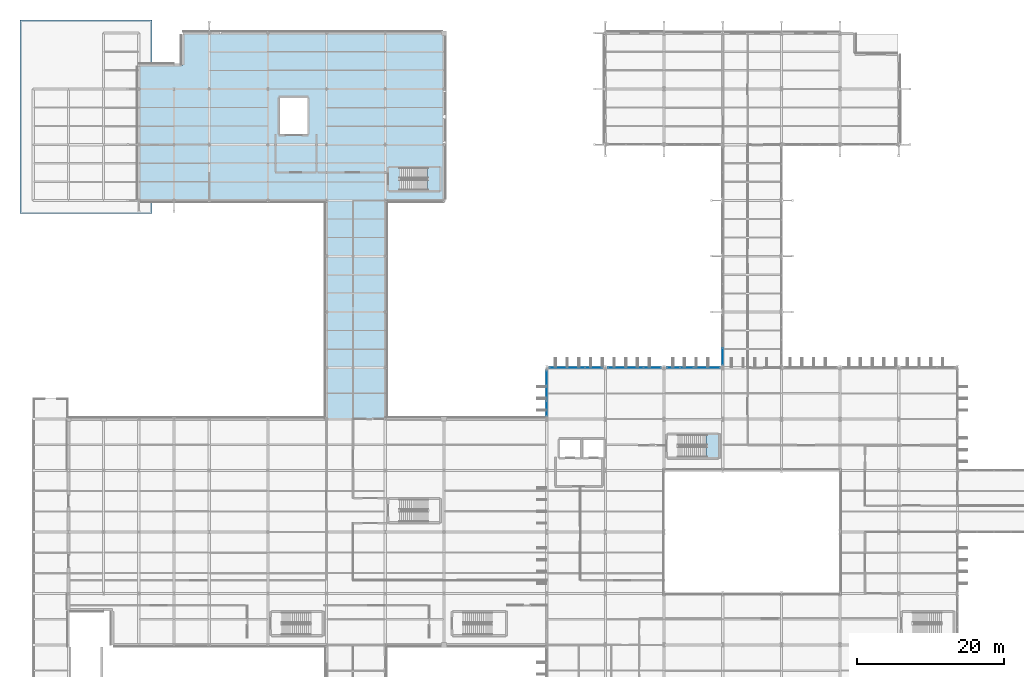
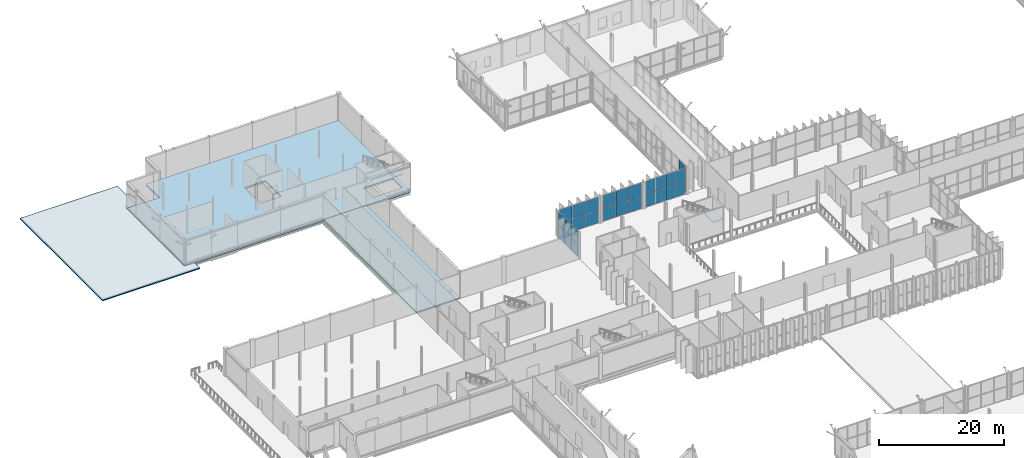
# One storey, part 102 of 147: 28 plates, 5 slabs, 7 elements without a shape of their own.
"""IFC4 building model written with IfcOpenShell, lengths in metres."""

from ifc_helpers import new_model, si_unit, direction, frame, origin, origin_2d, place, context, subcontext, project, spatial, polyline, rectangle, outline, extrude, material, layer, layer_set, type_object, element, aggregate, save


model = new_model("IFC4")

# Units and contexts
model_context = context("Model", 3, precision=1e-05, world=origin(), true_north=direction((0.0, 1.0)))
body_context = subcontext(model_context, "Body", "Model", "MODEL_VIEW")
ifc_project = project(units=[si_unit("LENGTHUNIT", "METRE"), si_unit("AREAUNIT", "SQUARE_METRE"), si_unit("VOLUMEUNIT", "CUBIC_METRE"), si_unit("PLANEANGLEUNIT", "RADIAN"), si_unit("MASSUNIT", "GRAM", prefix="KILO")], contexts=[model_context])

# Site, building, storey
site_placement = place(None, origin())
site = spatial("IfcSite", under=ifc_project, at=site_placement, CompositionType="ELEMENT")
building_placement = place(site_placement, origin())
building = spatial("IfcBuilding", under=site, at=building_placement, Name="Vekula Escarpment Museum", CompositionType="ELEMENT")
storey_placement = place(building_placement, frame((0.0, 0.0, 7.800048828125)))
storey = spatial("IfcBuildingStorey", under=building, at=storey_placement, Name="L02", CompositionType="ELEMENT", Elevation=7.800048828125)

# Curtain wall, plates
ifc_material_1 = material(Name="Aluminium thermally broken framing", Category="aluminium")
ifc_layer_1 = layer(ifc_material_1, 0.159912109375)
ifc_layer_set_1 = layer_set([ifc_layer_1], Name="Aluminium thermally broken framing")
curtain_wall_type_1 = type_object("IfcCurtainWallType", Name="CW-SYS-02", PredefinedType="NOTDEFINED", material=ifc_layer_set_1)
curtain_wall_1_placement = place(storey_placement, origin())
curtain_wall_1 = element("IfcCurtainWall", 1, at=curtain_wall_1_placement, inside=storey, type_object=curtain_wall_type_1, Name="Curtain Wall CW-L02-092", PredefinedType="NOTDEFINED")
ifc_material_2 = material(Name="Double solar-control low-E glass", Category="glass")
ifc_layer_2 = layer(ifc_material_2, 0.028076171875)
ifc_layer_set_2 = layer_set([ifc_layer_2], Name="Double solar-control low-E glass")
plate_type_1 = type_object("IfcPlateType", Name="CW-PNL-28", PredefinedType="CURTAIN_PANEL", material=ifc_layer_set_2)
plate_1_placement = place(storey_placement, frame((84.410400390625, 90.39990234375, 0.06494140625), z_axis=(0.0, 0.0, 1.0), x_axis=(-1.0, 0.0, 0.0)))
plate_1 = element("IfcPlate", 2, at=plate_1_placement, type_object=plate_type_1, Name="CW-02 panel 1.1", PredefinedType="CURTAIN_PANEL", context=body_context, shape_type="SweptSolid", body=[
    extrude(rectangle(XDim=2.3291015625, YDim=0.028076171875, at=origin_2d()), origin(), (0.0, 0.0, 1.0), 2.4775390625),
])
plate_2_placement = place(storey_placement, frame((84.410400390625, 90.39990234375, 2.607421875), z_axis=(0.0, 0.0, 1.0), x_axis=(-1.0, 0.0, 0.0)))
plate_2 = element("IfcPlate", 3, at=plate_2_placement, type_object=plate_type_1, Name="CW-02 panel 1.2", PredefinedType="CURTAIN_PANEL", context=body_context, shape_type="SweptSolid", body=[
    extrude(rectangle(XDim=2.3291015625, YDim=0.028076171875, at=origin_2d()), origin(), (0.0, 0.0, 1.0), 2.4775390625),
])
plate_3_placement = place(storey_placement, frame((82.0, 90.39990234375, 0.06494140625), z_axis=(0.0, 0.0, 1.0), x_axis=(-1.0, 0.0, 0.0)))
plate_3 = element("IfcPlate", 4, at=plate_3_placement, type_object=plate_type_1, Name="CW-02 panel 2.1", PredefinedType="CURTAIN_PANEL", context=body_context, shape_type="SweptSolid", body=[
    extrude(rectangle(XDim=2.361572265625, YDim=0.028076171875, at=origin_2d()), origin(), (0.0, 0.0, 1.0), 2.4775390625),
])
plate_4_placement = place(storey_placement, frame((82.0, 90.39990234375, 2.607421875), z_axis=(0.0, 0.0, 1.0), x_axis=(-1.0, 0.0, 0.0)))
plate_4 = element("IfcPlate", 5, at=plate_4_placement, type_object=plate_type_1, Name="CW-02 panel 2.2", PredefinedType="CURTAIN_PANEL", context=body_context, shape_type="SweptSolid", body=[
    extrude(rectangle(XDim=2.361572265625, YDim=0.028076171875, at=origin_2d()), origin(), (0.0, 0.0, 1.0), 2.4775390625),
])
plate_5_placement = place(storey_placement, frame((79.589599609375, 90.39990234375, 0.06494140625), z_axis=(0.0, 0.0, 1.0), x_axis=(-1.0, 0.0, 0.0)))
plate_5 = element("IfcPlate", 6, at=plate_5_placement, type_object=plate_type_1, Name="CW-02 panel 3.1", PredefinedType="CURTAIN_PANEL", context=body_context, shape_type="SweptSolid", body=[
    extrude(rectangle(XDim=2.3291015625, YDim=0.028076171875, at=origin_2d()), origin(), (0.0, 0.0, 1.0), 2.4775390625),
])
plate_6_placement = place(storey_placement, frame((79.589599609375, 90.39990234375, 2.607421875), z_axis=(0.0, 0.0, 1.0), x_axis=(-1.0, 0.0, 0.0)))
plate_6 = element("IfcPlate", 7, at=plate_6_placement, type_object=plate_type_1, Name="CW-02 panel 3.2", PredefinedType="CURTAIN_PANEL", context=body_context, shape_type="SweptSolid", body=[
    extrude(rectangle(XDim=2.3291015625, YDim=0.028076171875, at=origin_2d()), origin(), (0.0, 0.0, 1.0), 2.4775390625),
])
aggregate(curtain_wall_1, [plate_1, plate_2, plate_3, plate_4, plate_5, plate_6])

ifc_material_3 = material(Name="Aluminium thermally broken framing", Category="aluminium")
ifc_layer_3 = layer(ifc_material_3, 0.199951171875)
ifc_layer_set_3 = layer_set([ifc_layer_3], Name="Aluminium thermally broken framing")
curtain_wall_type_2 = type_object("IfcCurtainWallType", Name="CW-SYS-03", PredefinedType="NOTDEFINED", material=ifc_layer_set_3)
curtain_wall_2_placement = place(storey_placement, origin())
curtain_wall_2 = element("IfcCurtainWall", 8, at=curtain_wall_2_placement, inside=storey, type_object=curtain_wall_type_2, Name="Curtain Wall CW-L02-093", PredefinedType="NOTDEFINED")
ifc_material_4 = material(Name="Acoustic laminated double low-E glass", Category="glass")
ifc_layer_4 = layer(ifc_material_4, 0.031982421875)
ifc_layer_set_4 = layer_set([ifc_layer_4], Name="Acoustic laminated double low-E glass")
plate_type_2 = type_object("IfcPlateType", Name="CW-PNL-32", PredefinedType="CURTAIN_PANEL", material=ifc_layer_set_4)
plate_7_placement = place(storey_placement, frame((76.410400390625, 90.39990234375, 0.06494140625), z_axis=(0.0, 0.0, 1.0), x_axis=(-1.0, 0.0, 0.0)))
plate_7 = element("IfcPlate", 9, at=plate_7_placement, type_object=plate_type_2, Name="CW-03 panel 1.1", PredefinedType="CURTAIN_PANEL", context=body_context, shape_type="SweptSolid", body=[
    extrude(rectangle(XDim=2.3291015625, YDim=0.031982421875, at=origin_2d()), origin(), (0.0, 0.0, 1.0), 2.4775390625),
])
plate_8_placement = place(storey_placement, frame((76.410400390625, 90.39990234375, 2.607421875), z_axis=(0.0, 0.0, 1.0), x_axis=(-1.0, 0.0, 0.0)))
plate_8 = element("IfcPlate", 10, at=plate_8_placement, type_object=plate_type_2, Name="CW-03 panel 1.2", PredefinedType="CURTAIN_PANEL", context=body_context, shape_type="SweptSolid", body=[
    extrude(rectangle(XDim=2.3291015625, YDim=0.031982421875, at=origin_2d()), origin(), (0.0, 0.0, 1.0), 2.4775390625),
])
plate_9_placement = place(storey_placement, frame((74.0, 90.39990234375, 0.06494140625), z_axis=(0.0, 0.0, 1.0), x_axis=(-1.0, 0.0, 0.0)))
plate_9 = element("IfcPlate", 11, at=plate_9_placement, type_object=plate_type_2, Name="CW-03 panel 2.1", PredefinedType="CURTAIN_PANEL", context=body_context, shape_type="SweptSolid", body=[
    extrude(rectangle(XDim=2.361572265625, YDim=0.031982421875, at=origin_2d()), origin(), (0.0, 0.0, 1.0), 2.4775390625),
])
plate_10_placement = place(storey_placement, frame((74.0, 90.39990234375, 2.607421875), z_axis=(0.0, 0.0, 1.0), x_axis=(-1.0, 0.0, 0.0)))
plate_10 = element("IfcPlate", 12, at=plate_10_placement, type_object=plate_type_2, Name="CW-03 panel 2.2", PredefinedType="CURTAIN_PANEL", context=body_context, shape_type="SweptSolid", body=[
    extrude(rectangle(XDim=2.361572265625, YDim=0.031982421875, at=origin_2d()), origin(), (0.0, 0.0, 1.0), 2.4775390625),
])
plate_11_placement = place(storey_placement, frame((71.589599609375, 90.39990234375, 0.06494140625), z_axis=(0.0, 0.0, 1.0), x_axis=(-1.0, 0.0, 0.0)))
plate_11 = element("IfcPlate", 13, at=plate_11_placement, type_object=plate_type_2, Name="CW-03 panel 3.1", PredefinedType="CURTAIN_PANEL", context=body_context, shape_type="SweptSolid", body=[
    extrude(rectangle(XDim=2.3291015625, YDim=0.031982421875, at=origin_2d()), origin(), (0.0, 0.0, 1.0), 2.4775390625),
])
plate_12_placement = place(storey_placement, frame((71.589599609375, 90.39990234375, 2.607421875), z_axis=(0.0, 0.0, 1.0), x_axis=(-1.0, 0.0, 0.0)))
plate_12 = element("IfcPlate", 14, at=plate_12_placement, type_object=plate_type_2, Name="CW-03 panel 3.2", PredefinedType="CURTAIN_PANEL", context=body_context, shape_type="SweptSolid", body=[
    extrude(rectangle(XDim=2.3291015625, YDim=0.031982421875, at=origin_2d()), origin(), (0.0, 0.0, 1.0), 2.4775390625),
])
aggregate(curtain_wall_2, [plate_7, plate_8, plate_9, plate_10, plate_11, plate_12])

ifc_material_5 = material(Name="Aluminium thermally broken framing", Category="aluminium")
ifc_layer_5 = layer(ifc_material_5, 0.169921875)
ifc_layer_set_5 = layer_set([ifc_layer_5], Name="Aluminium thermally broken framing")
curtain_wall_type_3 = type_object("IfcCurtainWallType", Name="CW-SYS-10", PredefinedType="NOTDEFINED", material=ifc_layer_set_5)
curtain_wall_3_placement = place(storey_placement, origin())
curtain_wall_3 = element("IfcCurtainWall", 15, at=curtain_wall_3_placement, inside=storey, type_object=curtain_wall_type_3, Name="Curtain Wall CW-L02-090", PredefinedType="NOTDEFINED")
ifc_material_6 = material(Name="Triple UV-filtered museum gallery glass", Category="glass")
ifc_layer_6 = layer(ifc_material_6, 0.035888671875)
ifc_layer_set_6 = layer_set([ifc_layer_6], Name="Triple UV-filtered museum gallery glass")
plate_type_3 = type_object("IfcPlateType", Name="CW-PNL-36", PredefinedType="CURTAIN_PANEL", material=ifc_layer_set_6)
plate_13_placement = place(storey_placement, frame((94.0, 91.9228515625, 0.06494140625), z_axis=(0.0, 0.0, 1.0), x_axis=(0.0, -1.0, 0.0)))
plate_13 = element("IfcPlate", 16, at=plate_13_placement, type_object=plate_type_3, Name="CW-10 panel 3.1", PredefinedType="CURTAIN_PANEL", context=body_context, shape_type="SweptSolid", body=[
    extrude(rectangle(XDim=2.19580078125, YDim=0.035888671875, at=origin_2d()), origin(), (0.0, 0.0, 1.0), 2.4775390625),
])
plate_14_placement = place(storey_placement, frame((94.0, 91.9228515625, 2.607421875), z_axis=(0.0, 0.0, 1.0), x_axis=(0.0, -1.0, 0.0)))
plate_14 = element("IfcPlate", 17, at=plate_14_placement, type_object=plate_type_3, Name="CW-10 panel 3.2", PredefinedType="CURTAIN_PANEL", context=body_context, shape_type="SweptSolid", body=[
    extrude(rectangle(XDim=2.19580078125, YDim=0.035888671875, at=origin_2d()), origin(), (0.0, 0.0, 1.0), 2.4775390625),
])
aggregate(curtain_wall_3, [plate_13, plate_14])

ifc_material_7 = material(Name="Aluminium thermally broken framing", Category="aluminium")
ifc_layer_7 = layer(ifc_material_7, 0.199951171875)
ifc_layer_set_7 = layer_set([ifc_layer_7], Name="Aluminium thermally broken framing")
curtain_wall_type_4 = type_object("IfcCurtainWallType", Name="CW-SYS-04", PredefinedType="NOTDEFINED", material=ifc_layer_set_7)
curtain_wall_4_placement = place(storey_placement, origin())
curtain_wall_4 = element("IfcCurtainWall", 18, at=curtain_wall_4_placement, inside=storey, type_object=curtain_wall_type_4, Name="Curtain Wall CW-L02-094", PredefinedType="NOTDEFINED")
plate_15_placement = place(storey_placement, frame((70.0, 88.97705078125, 0.06494140625), z_axis=(0.0, 0.0, 1.0), x_axis=(0.0, -1.0, 0.0)))
plate_15 = element("IfcPlate", 19, at=plate_15_placement, type_object=plate_type_3, Name="CW-04 panel 1.1", PredefinedType="CURTAIN_PANEL", context=body_context, shape_type="SweptSolid", body=[
    extrude(rectangle(XDim=1.995849609375, YDim=0.035888671875, at=origin_2d()), origin(), (0.0, 0.0, 1.0), 2.4775390625),
])
plate_16_placement = place(storey_placement, frame((70.0, 88.97705078125, 2.607421875), z_axis=(0.0, 0.0, 1.0), x_axis=(0.0, -1.0, 0.0)))
plate_16 = element("IfcPlate", 20, at=plate_16_placement, type_object=plate_type_3, Name="CW-04 panel 1.2", PredefinedType="CURTAIN_PANEL", context=body_context, shape_type="SweptSolid", body=[
    extrude(rectangle(XDim=1.995849609375, YDim=0.035888671875, at=origin_2d()), origin(), (0.0, 0.0, 1.0), 2.4775390625),
])
plate_17_placement = place(storey_placement, frame((70.0, 86.89990234375, 0.06494140625), z_axis=(0.0, 0.0, 1.0), x_axis=(0.0, -1.0, 0.0)))
plate_17 = element("IfcPlate", 21, at=plate_17_placement, type_object=plate_type_3, Name="CW-04 panel 2.1", PredefinedType="CURTAIN_PANEL", context=body_context, shape_type="SweptSolid", body=[
    extrude(rectangle(XDim=2.0283203125, YDim=0.035888671875, at=origin_2d()), origin(), (0.0, 0.0, 1.0), 2.4775390625),
])
plate_18_placement = place(storey_placement, frame((70.0, 86.89990234375, 2.607421875), z_axis=(0.0, 0.0, 1.0), x_axis=(0.0, -1.0, 0.0)))
plate_18 = element("IfcPlate", 22, at=plate_18_placement, type_object=plate_type_3, Name="CW-04 panel 2.2", PredefinedType="CURTAIN_PANEL", context=body_context, shape_type="SweptSolid", body=[
    extrude(rectangle(XDim=2.0283203125, YDim=0.035888671875, at=origin_2d()), origin(), (0.0, 0.0, 1.0), 2.4775390625),
])
plate_19_placement = place(storey_placement, frame((70.0, 84.822998046875, 0.06494140625), z_axis=(0.0, 0.0, 1.0), x_axis=(0.0, -1.0, 0.0)))
plate_19 = element("IfcPlate", 23, at=plate_19_placement, type_object=plate_type_3, Name="CW-04 panel 3.1", PredefinedType="CURTAIN_PANEL", context=body_context, shape_type="SweptSolid", body=[
    extrude(rectangle(XDim=1.995849609375, YDim=0.035888671875, at=origin_2d()), origin(), (0.0, 0.0, 1.0), 2.4775390625),
])
plate_20_placement = place(storey_placement, frame((70.0, 84.822998046875, 2.607421875), z_axis=(0.0, 0.0, 1.0), x_axis=(0.0, -1.0, 0.0)))
plate_20 = element("IfcPlate", 24, at=plate_20_placement, type_object=plate_type_3, Name="CW-04 panel 3.2", PredefinedType="CURTAIN_PANEL", context=body_context, shape_type="SweptSolid", body=[
    extrude(rectangle(XDim=1.995849609375, YDim=0.035888671875, at=origin_2d()), origin(), (0.0, 0.0, 1.0), 2.4775390625),
])
aggregate(curtain_wall_4, [plate_15, plate_16, plate_17, plate_18, plate_19, plate_20])

ifc_material_8 = material(Name="Aluminium thermally broken framing", Category="aluminium")
ifc_layer_8 = layer(ifc_material_8, 0.159912109375)
ifc_layer_set_8 = layer_set([ifc_layer_8], Name="Aluminium thermally broken framing")
curtain_wall_type_5 = type_object("IfcCurtainWallType", Name="CW-SYS-01", PredefinedType="NOTDEFINED", material=ifc_layer_set_8)
curtain_wall_5_placement = place(storey_placement, origin())
curtain_wall_5 = element("IfcCurtainWall", 25, at=curtain_wall_5_placement, inside=storey, type_object=curtain_wall_type_5, Name="Curtain Wall CW-L02-091", PredefinedType="NOTDEFINED")
ifc_material_9 = material(Name="Insulated bronze spandrel glass panel", Category="glass")
ifc_layer_9 = layer(ifc_material_9, 0.0400390625)
ifc_layer_set_9 = layer_set([ifc_layer_9], Name="Insulated bronze spandrel glass panel")
plate_type_4 = type_object("IfcPlateType", Name="CW-PNL-40", PredefinedType="CURTAIN_PANEL", material=ifc_layer_set_9)
plate_21_placement = place(storey_placement, frame((92.7138671875, 90.39990234375, 0.06494140625), z_axis=(0.0, 0.0, 1.0), x_axis=(-1.0, 0.0, 0.0)))
plate_21 = element("IfcPlate", 26, at=plate_21_placement, type_object=plate_type_4, Name="CW-01 panel 1.1", PredefinedType="CURTAIN_PANEL", context=body_context, shape_type="SweptSolid", body=[
    extrude(rectangle(XDim=1.722412109375, YDim=0.0400390625, at=origin_2d()), origin(), (0.0, 0.0, 1.0), 2.4775390625),
])
plate_22_placement = place(storey_placement, frame((92.7138671875, 90.39990234375, 2.607421875), z_axis=(0.0, 0.0, 1.0), x_axis=(-1.0, 0.0, 0.0)))
plate_22 = element("IfcPlate", 27, at=plate_22_placement, type_object=plate_type_4, Name="CW-01 panel 1.2", PredefinedType="CURTAIN_PANEL", context=body_context, shape_type="SweptSolid", body=[
    extrude(rectangle(XDim=1.722412109375, YDim=0.0400390625, at=origin_2d()), origin(), (0.0, 0.0, 1.0), 2.4775390625),
])
plate_23_placement = place(storey_placement, frame((90.909912109375, 90.39990234375, 0.06494140625), z_axis=(0.0, 0.0, 1.0), x_axis=(-1.0, 0.0, 0.0)))
plate_23 = element("IfcPlate", 28, at=plate_23_placement, type_object=plate_type_4, Name="CW-01 panel 2.1", PredefinedType="CURTAIN_PANEL", context=body_context, shape_type="SweptSolid", body=[
    extrude(rectangle(XDim=1.7548828125, YDim=0.0400390625, at=origin_2d()), origin(), (0.0, 0.0, 1.0), 2.4775390625),
])
plate_24_placement = place(storey_placement, frame((90.909912109375, 90.39990234375, 2.607421875), z_axis=(0.0, 0.0, 1.0), x_axis=(-1.0, 0.0, 0.0)))
plate_24 = element("IfcPlate", 29, at=plate_24_placement, type_object=plate_type_4, Name="CW-01 panel 2.2", PredefinedType="CURTAIN_PANEL", context=body_context, shape_type="SweptSolid", body=[
    extrude(rectangle(XDim=1.7548828125, YDim=0.0400390625, at=origin_2d()), origin(), (0.0, 0.0, 1.0), 2.4775390625),
])
plate_25_placement = place(storey_placement, frame((89.090087890625, 90.39990234375, 0.06494140625), z_axis=(0.0, 0.0, 1.0), x_axis=(-1.0, 0.0, 0.0)))
plate_25 = element("IfcPlate", 30, at=plate_25_placement, type_object=plate_type_4, Name="CW-01 panel 3.1", PredefinedType="CURTAIN_PANEL", context=body_context, shape_type="SweptSolid", body=[
    extrude(rectangle(XDim=1.7548828125, YDim=0.0400390625, at=origin_2d()), origin(), (0.0, 0.0, 1.0), 2.4775390625),
])
plate_26_placement = place(storey_placement, frame((89.090087890625, 90.39990234375, 2.607421875), z_axis=(0.0, 0.0, 1.0), x_axis=(-1.0, 0.0, 0.0)))
plate_26 = element("IfcPlate", 31, at=plate_26_placement, type_object=plate_type_4, Name="CW-01 panel 3.2", PredefinedType="CURTAIN_PANEL", context=body_context, shape_type="SweptSolid", body=[
    extrude(rectangle(XDim=1.7548828125, YDim=0.0400390625, at=origin_2d()), origin(), (0.0, 0.0, 1.0), 2.4775390625),
])
plate_27_placement = place(storey_placement, frame((87.2861328125, 90.39990234375, 0.06494140625), z_axis=(0.0, 0.0, 1.0), x_axis=(-1.0, 0.0, 0.0)))
plate_27 = element("IfcPlate", 32, at=plate_27_placement, type_object=plate_type_4, Name="CW-01 panel 4.1", PredefinedType="CURTAIN_PANEL", context=body_context, shape_type="SweptSolid", body=[
    extrude(rectangle(XDim=1.722412109375, YDim=0.0400390625, at=origin_2d()), origin(), (0.0, 0.0, 1.0), 2.4775390625),
])
plate_28_placement = place(storey_placement, frame((87.2861328125, 90.39990234375, 2.607421875), z_axis=(0.0, 0.0, 1.0), x_axis=(-1.0, 0.0, 0.0)))
plate_28 = element("IfcPlate", 33, at=plate_28_placement, type_object=plate_type_4, Name="CW-01 panel 4.2", PredefinedType="CURTAIN_PANEL", context=body_context, shape_type="SweptSolid", body=[
    extrude(rectangle(XDim=1.722412109375, YDim=0.0400390625, at=origin_2d()), origin(), (0.0, 0.0, 1.0), 2.4775390625),
])
aggregate(curtain_wall_5, [plate_21, plate_22, plate_23, plate_24, plate_25, plate_26, plate_27, plate_28])

# Slabs
ifc_material_10 = material(Name="Concrete C35/45", Category="concrete")
ifc_layer_10 = layer(ifc_material_10, 0.320068359375)
ifc_layer_set_10 = layer_set([ifc_layer_10], Name="Concrete C35/45")
slab_type_1 = type_object("IfcSlabType", Name="SL-ARC-320", PredefinedType="FLOOR", material=ifc_layer_set_10)
slab_1_placement = place(storey_placement, frame((0.0, 0.0, -0.320068359375)))
element("IfcSlab", 34, at=slab_1_placement, inside=storey, type_object=slab_type_1, Name="Floor Slab W-L02-V5-NW", PredefinedType="FLOOR", context=body_context, shape_type="SweptSolid", body=[
    extrude(outline(polyline([(14.39990234375, 113.199951171875), (56.0, 113.199951171875), (56.0, 136.0), (20.39990234375, 136.0), (20.39990234375, 131.66796875), (14.39990234375, 131.66796875), (14.39990234375, 113.199951171875)]), holes=[polyline([(49.97998046875, 114.60009765625), (55.39990234375, 114.60009765625), (55.39990234375, 117.639892578125), (49.97998046875, 117.639892578125), (49.97998046875, 114.60009765625)]), polyline([(33.60009765625, 122.199951171875), (37.39990234375, 122.199951171875), (37.39990234375, 127.199951171875), (33.60009765625, 127.199951171875), (33.60009765625, 122.199951171875)])]), origin(), (0.0, 0.0, 1.0), 0.320068359375),
])
ifc_material_11 = material(Name="Concrete C35/45", Category="concrete")
ifc_layer_11 = layer(ifc_material_11, 0.260009765625)
ifc_layer_set_11 = layer_set([ifc_layer_11], Name="Concrete C35/45")
slab_type_2 = type_object("IfcSlabType", Name="SL-FLR-260", PredefinedType="FLOOR", material=ifc_layer_set_11)
slab_2_placement = place(storey_placement, frame((0.0, 0.0, -0.260009765625)))
element("IfcSlab", 35, at=slab_2_placement, inside=storey, type_object=slab_type_2, Name="Floor Slab W-L02-V5-LNK", PredefinedType="FLOOR", context=body_context, shape_type="SweptSolid", body=[
    extrude(outline(polyline([(40.0, 83.39990234375), (48.0, 83.39990234375), (48.0, 113.199951171875), (40.0, 113.199951171875), (40.0, 83.39990234375)])), origin(), (0.0, 0.0, 1.0), 0.260009765625),
])

# Stair, slab
ifc_material_12 = material(Name="Concrete C35/45", Category="concrete")
stair_type = type_object("IfcStairType", Name="STR-TYPE-142", PredefinedType="HALF_TURN_STAIR", material=ifc_material_12)
stair_1_placement = place(storey_placement, origin())
stair_1 = element("IfcStair", 36, at=stair_1_placement, inside=storey, type_object=stair_type, Name="L02 Archive and Lab Exit Stair ST-03", PredefinedType="HALF_TURN_STAIR")
ifc_material_13 = material(Name="Concrete C35/45", Category="concrete")
ifc_layer_12 = layer(ifc_material_13, 0.199951171875)
ifc_layer_set_12 = layer_set([ifc_layer_12], Name="Concrete C35/45")
slab_type_3 = type_object("IfcSlabType", Name="SL-LAND-200", PredefinedType="LANDING", material=ifc_layer_set_12)
slab_3_placement = place(storey_placement, frame((0.0, 0.0, 2.5)))
slab_3 = element("IfcSlab", 37, at=slab_3_placement, type_object=slab_type_3, Name="ST-03 landing 1", PredefinedType="LANDING", context=body_context, shape_type="SweptSolid", body=[
    extrude(outline(polyline([(53.75, 114.510009765625), (55.489990234375, 114.510009765625), (55.489990234375, 117.72998046875), (53.75, 117.72998046875), (53.75, 114.510009765625)])), origin(), (0.0, 0.0, 1.0), 0.199951171875),
])
aggregate(stair_1, [slab_3])

stair_2_placement = place(storey_placement, origin())
stair_2 = element("IfcStair", 38, at=stair_2_placement, inside=storey, type_object=stair_type, Name="L02 Great Hall North Exit Stair ST-09", PredefinedType="HALF_TURN_STAIR")
slab_4_placement = place(storey_placement, frame((0.0, 0.0, 2.5)))
slab_4 = element("IfcSlab", 39, at=slab_4_placement, type_object=slab_type_3, Name="ST-09 landing 1", PredefinedType="LANDING", context=body_context, shape_type="SweptSolid", body=[
    extrude(outline(polyline([(91.75, 78.110107421875), (93.489990234375, 78.110107421875), (93.489990234375, 81.330078125), (91.75, 81.330078125), (91.75, 78.110107421875)])), origin(), (0.0, 0.0, 1.0), 0.199951171875),
])
aggregate(stair_2, [slab_4])

# Slab
ifc_material_14 = material(Name="Concrete C35/45", Category="concrete")
ifc_layer_13 = layer(ifc_material_14, 0.199951171875)
ifc_layer_set_13 = layer_set([ifc_layer_13], Name="Concrete C35/45")
slab_type_4 = type_object("IfcSlabType", Name="SL-ROOF-200", PredefinedType="ROOF", material=ifc_layer_set_13)
slab_5_placement = place(storey_placement, frame((0.0, 0.0, -0.199951171875)))
element("IfcSlab", 40, at=slab_5_placement, inside=storey, type_object=slab_type_4, Name="Overhanging Eave Roof Slab R-L02-V5W0", PredefinedType="ROOF", context=body_context, shape_type="SweptSolid", body=[
    extrude(outline(polyline([(-1.800048828125, 137.800048828125), (16.199951171875, 137.800048828125), (16.199951171875, 131.697998046875), (14.3701171875, 131.697998046875), (14.3701171875, 113.169921875), (16.199951171875, 113.169921875), (16.199951171875, 111.39990234375), (-1.800048828125, 111.39990234375), (-1.800048828125, 137.800048828125)])), origin(), (0.0, 0.0, 1.0), 0.199951171875),
])

save(model, "model.ifc")
